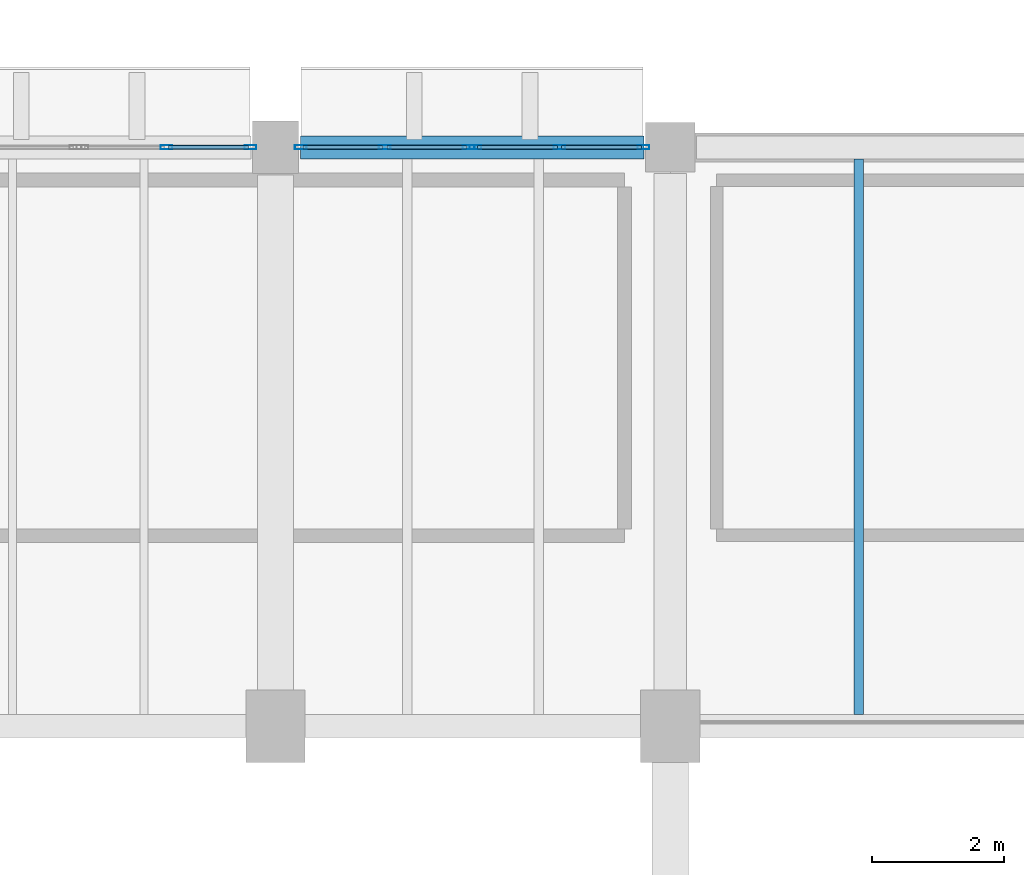
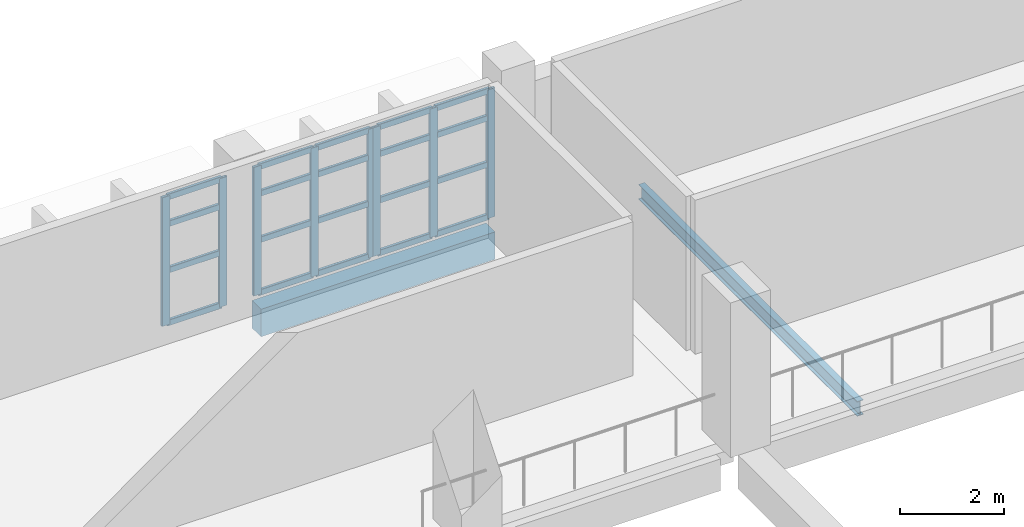
# One storey, part 47 of 80: 28 members, 2 beams, 3 elements without a shape of their own.
"""IFC4 building model written with IfcOpenShell, lengths in metres."""

from ifc_helpers import new_model, si_unit, direction, frame, origin, origin_2d, place, context, subcontext, project, spatial, rectangle, hollow_rectangle, i_section, extrude, material, material_profile, profile_set, type_object, element, aggregate, save


model = new_model("IFC4")

# Units and contexts
model_context = context("Model", 3, precision=1e-05, world=origin(), true_north=direction((0.0, 1.0)))
body_context = subcontext(model_context, "Body", "Model", "MODEL_VIEW")
ifc_project = project(units=[si_unit("LENGTHUNIT", "METRE"), si_unit("AREAUNIT", "SQUARE_METRE"), si_unit("VOLUMEUNIT", "CUBIC_METRE"), si_unit("PLANEANGLEUNIT", "RADIAN"), si_unit("MASSUNIT", "GRAM", prefix="KILO")], contexts=[model_context])

# Site, building, storey
site_placement = place(None, origin())
site = spatial("IfcSite", under=ifc_project, at=site_placement, CompositionType="ELEMENT")
building_placement = place(site_placement, origin())
building = spatial("IfcBuilding", under=site, at=building_placement, Name="Varnakota Cinema and Media Centre", CompositionType="ELEMENT")
storey_placement = place(building_placement, frame((0.0, 0.0, 4.5)))
storey = spatial("IfcBuildingStorey", under=building, at=storey_placement, Name="L01", CompositionType="ELEMENT", Elevation=4.5)

# Beams
ifc_material_1 = material(Name="Concrete M40", Category="concrete")
ifc_material_profile_1 = material_profile(ifc_material_1, rectangle(XDim=0.35009765625, YDim=0.64990234375, at=origin_2d()), Name="RCB 350x650")
ifc_profile_set_1 = profile_set([ifc_material_profile_1], Name="Concrete M40")
beam_type_1 = type_object("IfcBeamType", Name="BM-SP-350x650", PredefinedType="SPANDREL", material=ifc_profile_set_1)
beam_1_placement = place(storey_placement, frame((129.375, 44.0, -0.574951171875), z_axis=(1.0, 0.0, 0.0), x_axis=(0.0, 1.0, 0.0)))
element("IfcBeam", 1, at=beam_1_placement, inside=storey, type_object=beam_type_1, Name="L01 girder U-V/6", PredefinedType="SPANDREL", context=body_context, shape_type="SweptSolid", body=[
    extrude(rectangle(XDim=0.35009765625, YDim=0.64990234375, at=origin_2d()), origin(), (0.0, 0.0, 1.0), 5.22509765625),
])
ifc_material_2 = material(Name="Structural steel Grade 350 (E350)", Category="steel")
ifc_material_profile_2 = material_profile(ifc_material_2, i_section(OverallWidth=0.139892578125, OverallDepth=0.35009765625, WebThickness=0.008056640625, FlangeThickness=0.01416015625, FilletRadius=0.013916015625, at=origin_2d()), Name="ISMB 350")
ifc_profile_set_2 = profile_set([ifc_material_profile_2], Name="Structural steel Grade 350 (E350)")
beam_type_2 = type_object("IfcBeamType", Name="BM-ST-ISMB350", PredefinedType="JOIST", material=ifc_profile_set_2)
beam_2_placement = place(storey_placement, frame((137.86669921875, 35.375, -0.425048828125), z_axis=(0.0, 1.0, 0.0), x_axis=(-1.0, 0.0, 0.0)))
element("IfcBeam", 2, at=beam_2_placement, inside=storey, type_object=beam_type_2, Name="L01 steel joist V-W/5-6 #1", PredefinedType="JOIST", context=body_context, shape_type="SweptSolid", body=[
    extrude(i_section(OverallWidth=0.139892578125, OverallDepth=0.35009765625, WebThickness=0.008056640625, FlangeThickness=0.01416015625, FilletRadius=0.013916015625, at=origin_2d()), origin(), (0.0, 0.0, 1.0), 8.449951171875),
])

# Curtain wall, members
ifc_material_3 = material(Name="Thermally broken anodised aluminium AW-6063", Category="aluminium")
curtain_wall_type = type_object("IfcCurtainWallType", Name="CW-STD-262x304", PredefinedType="USERDEFINED", material=ifc_material_3)
curtain_wall_1_placement = place(storey_placement, origin())
curtain_wall_1 = element("IfcCurtainWall", 3, at=curtain_wall_1_placement, inside=storey, type_object=curtain_wall_type, Name="L01 curtain wall CW-L01-V1-N-09-2", ObjectType="UNITISED CURTAIN WALL", PredefinedType="USERDEFINED")
ifc_material_4 = material(Name="Thermally broken anodised aluminium AW-6063", Category="aluminium")
ifc_material_profile_3 = material_profile(ifc_material_4, hollow_rectangle(XDim=0.06494140625, YDim=0.179931640625, WallThickness=0.00390625, InnerFilletRadius=0.00390625, OuterFilletRadius=0.008056640625, at=origin_2d()), Name="AL-MULLION 180x65x4")
ifc_profile_set_3 = profile_set([ifc_material_profile_3], Name="Thermally broken anodised aluminium AW-6063")
member_type_1 = type_object("IfcMemberType", Name="CWM-AL-180", PredefinedType="MULLION", material=ifc_profile_set_3)
member_1_placement = place(storey_placement, frame((127.34130859375, 44.0, 0.0), z_axis=(0.0, 0.0, 1.0), x_axis=(0.0, 1.0, 0.0)))
member_1 = element("IfcMember", 4, at=member_1_placement, type_object=member_type_1, Name="CW17 mullion 2", PredefinedType="MULLION", context=body_context, shape_type="SweptSolid", body=[
    extrude(hollow_rectangle(XDim=0.06494140625, YDim=0.179931640625, WallThickness=0.00390625, InnerFilletRadius=0.00390625, OuterFilletRadius=0.008056640625, at=origin_2d()), origin(), (0.0, 0.0, 1.0), 3.034912109375),
])
member_2_placement = place(storey_placement, frame((128.617431640625, 44.0, 0.0), z_axis=(0.0, 0.0, 1.0), x_axis=(0.0, 1.0, 0.0)))
member_2 = element("IfcMember", 5, at=member_2_placement, type_object=member_type_1, Name="CW17 mullion 3", PredefinedType="MULLION", context=body_context, shape_type="SweptSolid", body=[
    extrude(hollow_rectangle(XDim=0.06494140625, YDim=0.179931640625, WallThickness=0.00390625, InnerFilletRadius=0.00390625, OuterFilletRadius=0.008056640625, at=origin_2d()), origin(), (0.0, 0.0, 1.0), 3.034912109375),
])

curtain_wall_2_placement = place(storey_placement, origin())
curtain_wall_2 = element("IfcCurtainWall", 6, at=curtain_wall_2_placement, inside=storey, type_object=curtain_wall_type, Name="L01 curtain wall CW-L01-V1-N-10-1", ObjectType="UNITISED CURTAIN WALL", PredefinedType="USERDEFINED")
member_3_placement = place(storey_placement, frame((129.382568359375, 44.0, 0.0), z_axis=(0.0, 0.0, 1.0), x_axis=(0.0, 1.0, 0.0)))
member_3 = element("IfcMember", 7, at=member_3_placement, type_object=member_type_1, Name="CW17 mullion 1", PredefinedType="MULLION", context=body_context, shape_type="SweptSolid", body=[
    extrude(hollow_rectangle(XDim=0.06494140625, YDim=0.179931640625, WallThickness=0.00390625, InnerFilletRadius=0.00390625, OuterFilletRadius=0.008056640625, at=origin_2d()), origin(), (0.0, 0.0, 1.0), 3.034912109375),
])
member_4_placement = place(storey_placement, frame((130.65869140625, 44.0, 0.0), z_axis=(0.0, 0.0, 1.0), x_axis=(0.0, 1.0, 0.0)))
member_4 = element("IfcMember", 8, at=member_4_placement, type_object=member_type_1, Name="CW17 mullion 2", PredefinedType="MULLION", context=body_context, shape_type="SweptSolid", body=[
    extrude(hollow_rectangle(XDim=0.06494140625, YDim=0.179931640625, WallThickness=0.00390625, InnerFilletRadius=0.00390625, OuterFilletRadius=0.008056640625, at=origin_2d()), origin(), (0.0, 0.0, 1.0), 3.034912109375),
])
member_5_placement = place(storey_placement, frame((131.93505859375, 44.0, 0.0), z_axis=(0.0, 0.0, 1.0), x_axis=(0.0, 1.0, 0.0)))
member_5 = element("IfcMember", 9, at=member_5_placement, type_object=member_type_1, Name="CW17 mullion 3", PredefinedType="MULLION", context=body_context, shape_type="SweptSolid", body=[
    extrude(hollow_rectangle(XDim=0.06494140625, YDim=0.179931640625, WallThickness=0.00390625, InnerFilletRadius=0.00390625, OuterFilletRadius=0.008056640625, at=origin_2d()), origin(), (0.0, 0.0, 1.0), 3.034912109375),
])

curtain_wall_3_placement = place(storey_placement, origin())
curtain_wall_3 = element("IfcCurtainWall", 10, at=curtain_wall_3_placement, inside=storey, type_object=curtain_wall_type, Name="L01 curtain wall CW-L01-V1-N-10-2", ObjectType="UNITISED CURTAIN WALL", PredefinedType="USERDEFINED")
member_6_placement = place(storey_placement, frame((132.0400390625, 44.0, 0.0), z_axis=(0.0, 0.0, 1.0), x_axis=(0.0, 1.0, 0.0)))
member_6 = element("IfcMember", 11, at=member_6_placement, type_object=member_type_1, Name="CW17 mullion 1", PredefinedType="MULLION", context=body_context, shape_type="SweptSolid", body=[
    extrude(hollow_rectangle(XDim=0.06494140625, YDim=0.179931640625, WallThickness=0.00390625, InnerFilletRadius=0.00390625, OuterFilletRadius=0.008056640625, at=origin_2d()), origin(), (0.0, 0.0, 1.0), 3.034912109375),
])
member_7_placement = place(storey_placement, frame((133.316162109375, 44.0, 0.0), z_axis=(0.0, 0.0, 1.0), x_axis=(0.0, 1.0, 0.0)))
member_7 = element("IfcMember", 12, at=member_7_placement, type_object=member_type_1, Name="CW17 mullion 2", PredefinedType="MULLION", context=body_context, shape_type="SweptSolid", body=[
    extrude(hollow_rectangle(XDim=0.06494140625, YDim=0.179931640625, WallThickness=0.00390625, InnerFilletRadius=0.00390625, OuterFilletRadius=0.008056640625, at=origin_2d()), origin(), (0.0, 0.0, 1.0), 3.034912109375),
])
member_8_placement = place(storey_placement, frame((134.592529296875, 44.0, 0.0), z_axis=(0.0, 0.0, 1.0), x_axis=(0.0, 1.0, 0.0)))
member_8 = element("IfcMember", 13, at=member_8_placement, type_object=member_type_1, Name="CW17 mullion 3", PredefinedType="MULLION", context=body_context, shape_type="SweptSolid", body=[
    extrude(hollow_rectangle(XDim=0.06494140625, YDim=0.179931640625, WallThickness=0.00390625, InnerFilletRadius=0.00390625, OuterFilletRadius=0.008056640625, at=origin_2d()), origin(), (0.0, 0.0, 1.0), 3.034912109375),
])

# Member
ifc_material_5 = material(Name="Thermally broken anodised aluminium AW-6063", Category="aluminium")
ifc_material_profile_4 = material_profile(ifc_material_5, hollow_rectangle(XDim=0.06494140625, YDim=0.139892578125, WallThickness=0.00390625, InnerFilletRadius=0.00390625, OuterFilletRadius=0.008056640625, at=origin_2d()), Name="AL-TRANSOM 140x65x4")
ifc_profile_set_4 = profile_set([ifc_material_profile_4], Name="Thermally broken anodised aluminium AW-6063")
member_type_2 = type_object("IfcMemberType", Name="CWT-AL-140", PredefinedType="USERDEFINED", material=ifc_profile_set_4)
member_9_placement = place(storey_placement, frame((127.373779296875, 44.0, 0.032470703125), z_axis=(1.0, 0.0, 0.0), x_axis=(0.0, 1.0, 0.0)))
member_9 = element("IfcMember", 14, at=member_9_placement, type_object=member_type_2, Name="CW17 transom 2.1", ObjectType="TRANSOM", PredefinedType="USERDEFINED", context=body_context, shape_type="SweptSolid", body=[
    extrude(hollow_rectangle(XDim=0.06494140625, YDim=0.139892578125, WallThickness=0.00390625, InnerFilletRadius=0.00390625, OuterFilletRadius=0.008056640625, at=origin_2d()), origin(), (0.0, 0.0, 1.0), 1.211181640625),
])

member_10_placement = place(storey_placement, frame((127.373779296875, 44.0, 1.274658203125), z_axis=(1.0, 0.0, 0.0), x_axis=(0.0, 1.0, 0.0)))
member_10 = element("IfcMember", 15, at=member_10_placement, type_object=member_type_2, Name="CW17 transom 2.2", ObjectType="TRANSOM", PredefinedType="USERDEFINED", context=body_context, shape_type="SweptSolid", body=[
    extrude(hollow_rectangle(XDim=0.06494140625, YDim=0.139892578125, WallThickness=0.00390625, InnerFilletRadius=0.00390625, OuterFilletRadius=0.008056640625, at=origin_2d()), origin(), (0.0, 0.0, 1.0), 1.211181640625),
])

member_11_placement = place(storey_placement, frame((127.373779296875, 44.0, 2.3671875), z_axis=(1.0, 0.0, 0.0), x_axis=(0.0, 1.0, 0.0)))
member_11 = element("IfcMember", 16, at=member_11_placement, type_object=member_type_2, Name="CW17 transom 2.3", ObjectType="TRANSOM", PredefinedType="USERDEFINED", context=body_context, shape_type="SweptSolid", body=[
    extrude(hollow_rectangle(XDim=0.06494140625, YDim=0.139892578125, WallThickness=0.00390625, InnerFilletRadius=0.00390625, OuterFilletRadius=0.008056640625, at=origin_2d()), origin(), (0.0, 0.0, 1.0), 1.211181640625),
])

member_12_placement = place(storey_placement, frame((127.373779296875, 44.0, 3.00244140625), z_axis=(1.0, 0.0, 0.0), x_axis=(0.0, 1.0, 0.0)))
member_12 = element("IfcMember", 17, at=member_12_placement, type_object=member_type_2, Name="CW17 transom 2.4", ObjectType="TRANSOM", PredefinedType="USERDEFINED", context=body_context, shape_type="SweptSolid", body=[
    extrude(hollow_rectangle(XDim=0.06494140625, YDim=0.139892578125, WallThickness=0.00390625, InnerFilletRadius=0.00390625, OuterFilletRadius=0.008056640625, at=origin_2d()), origin(), (0.0, 0.0, 1.0), 1.211181640625),
])

aggregate(curtain_wall_1, [member_1, member_2, member_9, member_10, member_11, member_12])

member_13_placement = place(storey_placement, frame((129.4150390625, 44.0, 0.032470703125), z_axis=(1.0, 0.0, 0.0), x_axis=(0.0, 1.0, 0.0)))
member_13 = element("IfcMember", 18, at=member_13_placement, type_object=member_type_2, Name="CW17 transom 1.1", ObjectType="TRANSOM", PredefinedType="USERDEFINED", context=body_context, shape_type="SweptSolid", body=[
    extrude(hollow_rectangle(XDim=0.06494140625, YDim=0.139892578125, WallThickness=0.00390625, InnerFilletRadius=0.00390625, OuterFilletRadius=0.008056640625, at=origin_2d()), origin(), (0.0, 0.0, 1.0), 1.211181640625),
])

member_14_placement = place(storey_placement, frame((129.4150390625, 44.0, 1.274658203125), z_axis=(1.0, 0.0, 0.0), x_axis=(0.0, 1.0, 0.0)))
member_14 = element("IfcMember", 19, at=member_14_placement, type_object=member_type_2, Name="CW17 transom 1.2", ObjectType="TRANSOM", PredefinedType="USERDEFINED", context=body_context, shape_type="SweptSolid", body=[
    extrude(hollow_rectangle(XDim=0.06494140625, YDim=0.139892578125, WallThickness=0.00390625, InnerFilletRadius=0.00390625, OuterFilletRadius=0.008056640625, at=origin_2d()), origin(), (0.0, 0.0, 1.0), 1.211181640625),
])

member_15_placement = place(storey_placement, frame((129.4150390625, 44.0, 2.3671875), z_axis=(1.0, 0.0, 0.0), x_axis=(0.0, 1.0, 0.0)))
member_15 = element("IfcMember", 20, at=member_15_placement, type_object=member_type_2, Name="CW17 transom 1.3", ObjectType="TRANSOM", PredefinedType="USERDEFINED", context=body_context, shape_type="SweptSolid", body=[
    extrude(hollow_rectangle(XDim=0.06494140625, YDim=0.139892578125, WallThickness=0.00390625, InnerFilletRadius=0.00390625, OuterFilletRadius=0.008056640625, at=origin_2d()), origin(), (0.0, 0.0, 1.0), 1.211181640625),
])

member_16_placement = place(storey_placement, frame((129.4150390625, 44.0, 3.00244140625), z_axis=(1.0, 0.0, 0.0), x_axis=(0.0, 1.0, 0.0)))
member_16 = element("IfcMember", 21, at=member_16_placement, type_object=member_type_2, Name="CW17 transom 1.4", ObjectType="TRANSOM", PredefinedType="USERDEFINED", context=body_context, shape_type="SweptSolid", body=[
    extrude(hollow_rectangle(XDim=0.06494140625, YDim=0.139892578125, WallThickness=0.00390625, InnerFilletRadius=0.00390625, OuterFilletRadius=0.008056640625, at=origin_2d()), origin(), (0.0, 0.0, 1.0), 1.211181640625),
])

member_17_placement = place(storey_placement, frame((130.691162109375, 44.0, 0.032470703125), z_axis=(1.0, 0.0, 0.0), x_axis=(0.0, 1.0, 0.0)))
member_17 = element("IfcMember", 22, at=member_17_placement, type_object=member_type_2, Name="CW17 transom 2.1", ObjectType="TRANSOM", PredefinedType="USERDEFINED", context=body_context, shape_type="SweptSolid", body=[
    extrude(hollow_rectangle(XDim=0.06494140625, YDim=0.139892578125, WallThickness=0.00390625, InnerFilletRadius=0.00390625, OuterFilletRadius=0.008056640625, at=origin_2d()), origin(), (0.0, 0.0, 1.0), 1.21142578125),
])

member_18_placement = place(storey_placement, frame((130.691162109375, 44.0, 1.274658203125), z_axis=(1.0, 0.0, 0.0), x_axis=(0.0, 1.0, 0.0)))
member_18 = element("IfcMember", 23, at=member_18_placement, type_object=member_type_2, Name="CW17 transom 2.2", ObjectType="TRANSOM", PredefinedType="USERDEFINED", context=body_context, shape_type="SweptSolid", body=[
    extrude(hollow_rectangle(XDim=0.06494140625, YDim=0.139892578125, WallThickness=0.00390625, InnerFilletRadius=0.00390625, OuterFilletRadius=0.008056640625, at=origin_2d()), origin(), (0.0, 0.0, 1.0), 1.21142578125),
])

member_19_placement = place(storey_placement, frame((130.691162109375, 44.0, 2.3671875), z_axis=(1.0, 0.0, 0.0), x_axis=(0.0, 1.0, 0.0)))
member_19 = element("IfcMember", 24, at=member_19_placement, type_object=member_type_2, Name="CW17 transom 2.3", ObjectType="TRANSOM", PredefinedType="USERDEFINED", context=body_context, shape_type="SweptSolid", body=[
    extrude(hollow_rectangle(XDim=0.06494140625, YDim=0.139892578125, WallThickness=0.00390625, InnerFilletRadius=0.00390625, OuterFilletRadius=0.008056640625, at=origin_2d()), origin(), (0.0, 0.0, 1.0), 1.21142578125),
])

member_20_placement = place(storey_placement, frame((130.691162109375, 44.0, 3.00244140625), z_axis=(1.0, 0.0, 0.0), x_axis=(0.0, 1.0, 0.0)))
member_20 = element("IfcMember", 25, at=member_20_placement, type_object=member_type_2, Name="CW17 transom 2.4", ObjectType="TRANSOM", PredefinedType="USERDEFINED", context=body_context, shape_type="SweptSolid", body=[
    extrude(hollow_rectangle(XDim=0.06494140625, YDim=0.139892578125, WallThickness=0.00390625, InnerFilletRadius=0.00390625, OuterFilletRadius=0.008056640625, at=origin_2d()), origin(), (0.0, 0.0, 1.0), 1.21142578125),
])

aggregate(curtain_wall_2, [member_3, member_4, member_5, member_13, member_14, member_15, member_16, member_17, member_18, member_19, member_20])

member_21_placement = place(storey_placement, frame((132.072509765625, 44.0, 0.032470703125), z_axis=(1.0, 0.0, 0.0), x_axis=(0.0, 1.0, 0.0)))
member_21 = element("IfcMember", 26, at=member_21_placement, type_object=member_type_2, Name="CW17 transom 1.1", ObjectType="TRANSOM", PredefinedType="USERDEFINED", context=body_context, shape_type="SweptSolid", body=[
    extrude(hollow_rectangle(XDim=0.06494140625, YDim=0.139892578125, WallThickness=0.00390625, InnerFilletRadius=0.00390625, OuterFilletRadius=0.008056640625, at=origin_2d()), origin(), (0.0, 0.0, 1.0), 1.211181640625),
])

member_22_placement = place(storey_placement, frame((132.072509765625, 44.0, 1.274658203125), z_axis=(1.0, 0.0, 0.0), x_axis=(0.0, 1.0, 0.0)))
member_22 = element("IfcMember", 27, at=member_22_placement, type_object=member_type_2, Name="CW17 transom 1.2", ObjectType="TRANSOM", PredefinedType="USERDEFINED", context=body_context, shape_type="SweptSolid", body=[
    extrude(hollow_rectangle(XDim=0.06494140625, YDim=0.139892578125, WallThickness=0.00390625, InnerFilletRadius=0.00390625, OuterFilletRadius=0.008056640625, at=origin_2d()), origin(), (0.0, 0.0, 1.0), 1.211181640625),
])

member_23_placement = place(storey_placement, frame((132.072509765625, 44.0, 2.3671875), z_axis=(1.0, 0.0, 0.0), x_axis=(0.0, 1.0, 0.0)))
member_23 = element("IfcMember", 28, at=member_23_placement, type_object=member_type_2, Name="CW17 transom 1.3", ObjectType="TRANSOM", PredefinedType="USERDEFINED", context=body_context, shape_type="SweptSolid", body=[
    extrude(hollow_rectangle(XDim=0.06494140625, YDim=0.139892578125, WallThickness=0.00390625, InnerFilletRadius=0.00390625, OuterFilletRadius=0.008056640625, at=origin_2d()), origin(), (0.0, 0.0, 1.0), 1.211181640625),
])

member_24_placement = place(storey_placement, frame((132.072509765625, 44.0, 3.00244140625), z_axis=(1.0, 0.0, 0.0), x_axis=(0.0, 1.0, 0.0)))
member_24 = element("IfcMember", 29, at=member_24_placement, type_object=member_type_2, Name="CW17 transom 1.4", ObjectType="TRANSOM", PredefinedType="USERDEFINED", context=body_context, shape_type="SweptSolid", body=[
    extrude(hollow_rectangle(XDim=0.06494140625, YDim=0.139892578125, WallThickness=0.00390625, InnerFilletRadius=0.00390625, OuterFilletRadius=0.008056640625, at=origin_2d()), origin(), (0.0, 0.0, 1.0), 1.211181640625),
])

member_25_placement = place(storey_placement, frame((133.3486328125, 44.0, 0.032470703125), z_axis=(1.0, 0.0, 0.0), x_axis=(0.0, 1.0, 0.0)))
member_25 = element("IfcMember", 30, at=member_25_placement, type_object=member_type_2, Name="CW17 transom 2.1", ObjectType="TRANSOM", PredefinedType="USERDEFINED", context=body_context, shape_type="SweptSolid", body=[
    extrude(hollow_rectangle(XDim=0.06494140625, YDim=0.139892578125, WallThickness=0.00390625, InnerFilletRadius=0.00390625, OuterFilletRadius=0.008056640625, at=origin_2d()), origin(), (0.0, 0.0, 1.0), 1.21142578125),
])

member_26_placement = place(storey_placement, frame((133.3486328125, 44.0, 1.274658203125), z_axis=(1.0, 0.0, 0.0), x_axis=(0.0, 1.0, 0.0)))
member_26 = element("IfcMember", 31, at=member_26_placement, type_object=member_type_2, Name="CW17 transom 2.2", ObjectType="TRANSOM", PredefinedType="USERDEFINED", context=body_context, shape_type="SweptSolid", body=[
    extrude(hollow_rectangle(XDim=0.06494140625, YDim=0.139892578125, WallThickness=0.00390625, InnerFilletRadius=0.00390625, OuterFilletRadius=0.008056640625, at=origin_2d()), origin(), (0.0, 0.0, 1.0), 1.21142578125),
])

member_27_placement = place(storey_placement, frame((133.3486328125, 44.0, 2.3671875), z_axis=(1.0, 0.0, 0.0), x_axis=(0.0, 1.0, 0.0)))
member_27 = element("IfcMember", 32, at=member_27_placement, type_object=member_type_2, Name="CW17 transom 2.3", ObjectType="TRANSOM", PredefinedType="USERDEFINED", context=body_context, shape_type="SweptSolid", body=[
    extrude(hollow_rectangle(XDim=0.06494140625, YDim=0.139892578125, WallThickness=0.00390625, InnerFilletRadius=0.00390625, OuterFilletRadius=0.008056640625, at=origin_2d()), origin(), (0.0, 0.0, 1.0), 1.21142578125),
])

member_28_placement = place(storey_placement, frame((133.3486328125, 44.0, 3.00244140625), z_axis=(1.0, 0.0, 0.0), x_axis=(0.0, 1.0, 0.0)))
member_28 = element("IfcMember", 33, at=member_28_placement, type_object=member_type_2, Name="CW17 transom 2.4", ObjectType="TRANSOM", PredefinedType="USERDEFINED", context=body_context, shape_type="SweptSolid", body=[
    extrude(hollow_rectangle(XDim=0.06494140625, YDim=0.139892578125, WallThickness=0.00390625, InnerFilletRadius=0.00390625, OuterFilletRadius=0.008056640625, at=origin_2d()), origin(), (0.0, 0.0, 1.0), 1.21142578125),
])

aggregate(curtain_wall_3, [member_6, member_7, member_8, member_21, member_22, member_23, member_24, member_25, member_26, member_27, member_28])

save(model, "model.ifc")
